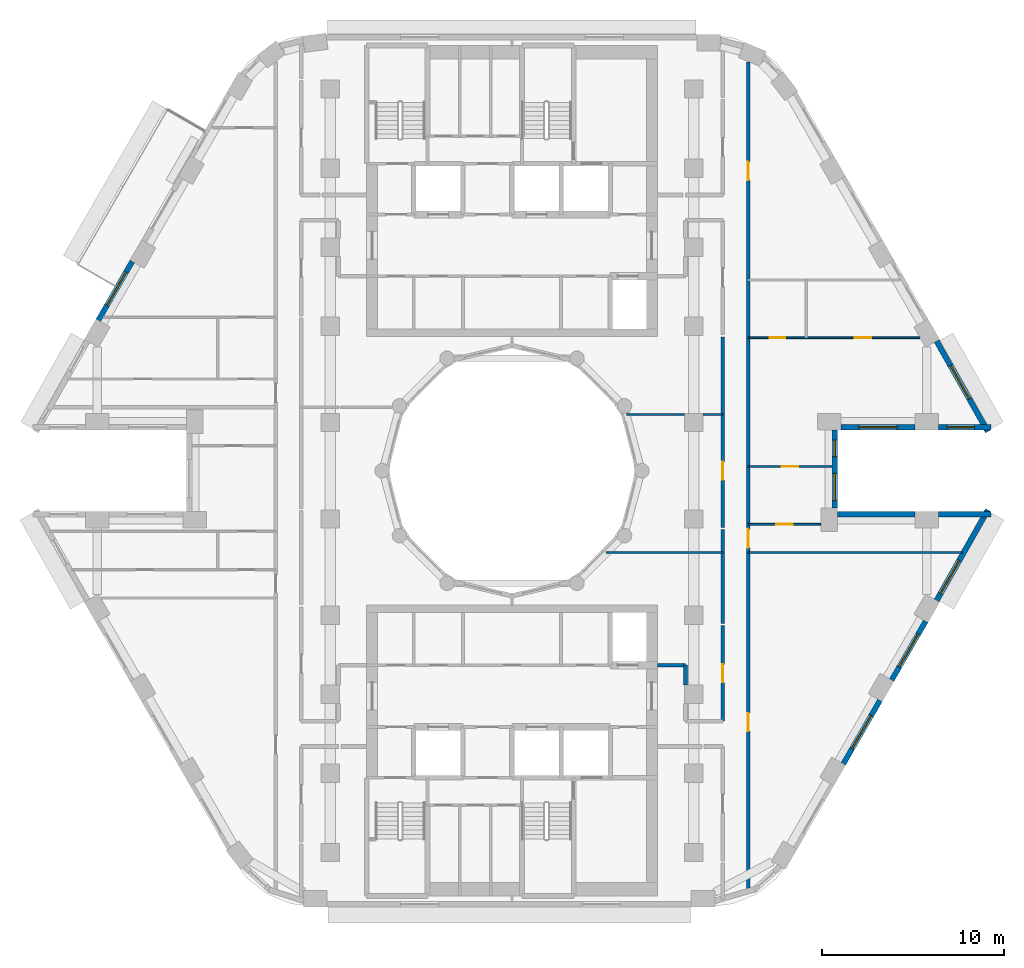
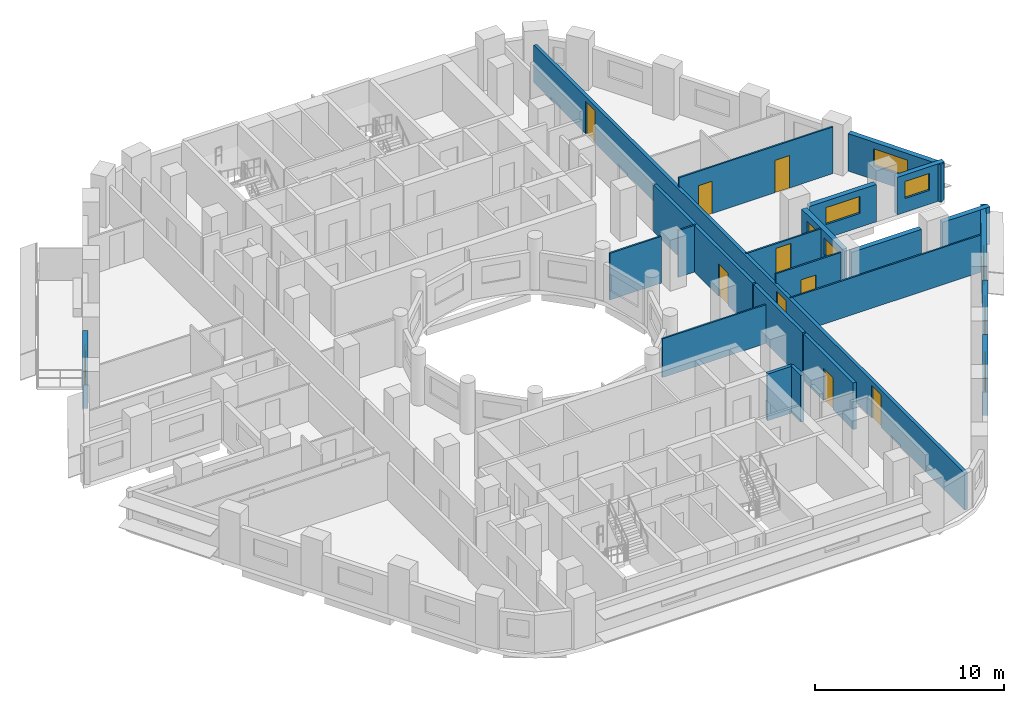
# One storey, part 6 of 13: 23 walls, 9 doors, 9 windows, 18 openings.
"""IFC4 building model written with IfcOpenShell, lengths in metres."""

import ifcopenshell
import ifcopenshell.guid

model = None  # the IFC model being written
_history = None  # IfcOwnerHistory: only IFC2X3 demands one
_inside = {}  # id of a spatial element -> (the spatial element, [elements in it])
_under = {}  # id of a project, library or spatial element -> (it, [spatial elements below it])
_declared = {}  # id of a project -> (the project, [libraries it declares])
_typed = {}  # id of a type object -> (the type object, [elements of that type])
_made_of = {}  # id of a material, layer set ... -> (it, [elements and type objects made of it])


def new_model(schema):
    """Start an empty IFC model of exactly this schema.

    Asked for "IFC4X3", IfcOpenShell would pick the latest addendum, in which some entities
    have other attributes; the version numbers below select the first issue.
    IFC2X3 requires an IfcOwnerHistory on every rooted entity: one is made here for all.
    """
    global model, _history
    if schema == "IFC4X3":
        model = ifcopenshell.file(schema_version=(4, 3, 0, 0))
    else:
        model = ifcopenshell.file(schema=schema)
    _inside.clear()
    _under.clear()
    _declared.clear()
    _typed.clear()
    _made_of.clear()
    _history = None
    if model.schema == "IFC2X3":
        org = make("IfcOrganization", Name="unknown")
        user = make(
            "IfcPersonAndOrganization",
            ThePerson=make("IfcPerson", FamilyName="unknown"),
            TheOrganization=org,
        )
        app = make(
            "IfcApplication",
            ApplicationDeveloper=org,
            Version="unknown",
            ApplicationFullName="unknown",
            ApplicationIdentifier="unknown",
        )
        _history = make(
            "IfcOwnerHistory",
            OwningUser=user,
            OwningApplication=app,
            ChangeAction="ADDED",
            CreationDate=0,
        )
    return model


def make(cls, **values):
    """One entity of the class cls with the attributes given. An attribute that is None is left unset."""
    return model.create_entity(
        cls, **{name: value for name, value in values.items() if value is not None}
    )


def rooted(cls, **values):
    """An entity with a GlobalId (a new one), such as an element, a storey or a relation."""
    return make(cls, GlobalId=ifcopenshell.guid.new(), OwnerHistory=_history, **values)


def si_unit(unit_type, name, prefix=None):
    """IfcSIUnit, for example si_unit("LENGTHUNIT", "METRE", prefix="MILLI")."""
    return make("IfcSIUnit", UnitType=unit_type, Prefix=prefix, Name=name)


def assignment(units):
    """IfcUnitAssignment: the units of a project."""
    return None if units is None else make("IfcUnitAssignment", Units=units)


def point(xyz):
    """IfcCartesianPoint."""
    return None if xyz is None else make("IfcCartesianPoint", Coordinates=xyz)


def direction(xyz):
    """IfcDirection."""
    return None if xyz is None else make("IfcDirection", DirectionRatios=xyz)


def frame(location, z_axis=None, x_axis=None):
    """IfcAxis2Placement3D, a coordinate frame: its origin and axes. An axis left out is left unset."""
    return make(
        "IfcAxis2Placement3D",
        Location=point(location),
        Axis=direction(z_axis),
        RefDirection=direction(x_axis),
    )


def frame_2d(location, x_axis=None):
    """IfcAxis2Placement2D, a coordinate frame in the plane: its origin and x axis."""
    return make(
        "IfcAxis2Placement2D", Location=point(location), RefDirection=direction(x_axis)
    )


def origin():
    """The frame at (0, 0, 0) with its axes left unset."""
    return frame((0.0, 0.0, 0.0))


def place(relative_to, where):
    """IfcLocalPlacement: puts the frame where relative to a parent placement (None: the world)."""
    return make(
        "IfcLocalPlacement", PlacementRelTo=relative_to, RelativePlacement=where
    )


def context(
    kind, dimensions, precision=None, world=None, true_north=None, identifier=None
):
    """IfcGeometricRepresentationContext, for example the 3D "Model" context."""
    return make(
        "IfcGeometricRepresentationContext",
        ContextIdentifier=identifier,
        ContextType=kind,
        CoordinateSpaceDimension=dimensions,
        Precision=precision,
        WorldCoordinateSystem=world,
        TrueNorth=true_north,
    )


def subcontext(parent, identifier, kind, view, scale=None):
    """IfcGeometricRepresentationSubContext, for example "Body" below "Model"."""
    return make(
        "IfcGeometricRepresentationSubContext",
        ContextIdentifier=identifier,
        ContextType=kind,
        ParentContext=parent,
        TargetScale=scale,
        TargetView=view,
    )


def project(units=None, contexts=None):
    """IfcProject with its units and contexts."""
    return rooted(
        "IfcProject",
        Name="project",
        RepresentationContexts=contexts,
        UnitsInContext=assignment(units),
    )


def spatial(cls, under=None, at=None, **own):
    """A site, building, storey or space (cls), placed at a placement, below another one or the project."""
    s = rooted(cls, ObjectPlacement=at, **own)
    if under is not None:
        _under.setdefault(under.id(), (under, []))[1].append(s)
    return s


def profile(cls, at=None, kind="AREA", **sizes):
    """A parametric profile (cls). Its sizes go by their IFC names, for example OverallWidth=200.0."""
    return make(cls, ProfileType=kind, Position=at, **sizes)


def rectangle(**sizes):
    """IfcRectangleProfileDef."""
    return profile("IfcRectangleProfileDef", **sizes)


def extrude(swept, where, along, depth):
    """IfcExtrudedAreaSolid: the profile swept, set in the frame where, extruded along a direction by depth."""
    return make(
        "IfcExtrudedAreaSolid",
        SweptArea=swept,
        Position=where,
        ExtrudedDirection=direction(along),
        Depth=depth,
    )


def shape(context_of_items, identifier, shape_type, items):
    """IfcShapeRepresentation: the items that make up one representation, for example the "Body"."""
    return make(
        "IfcShapeRepresentation",
        ContextOfItems=context_of_items,
        RepresentationIdentifier=identifier,
        RepresentationType=shape_type,
        Items=items,
    )


def material(Name=None, Category=None):
    """IfcMaterial."""
    return make("IfcMaterial", Name=Name, Category=Category)


def layer(
    of_material, thickness, ventilated=None, Name=None, Category=None, Priority=None
):
    """IfcMaterialLayer: one layer of a wall or slab, of a material (None: an air gap)."""
    return make(
        "IfcMaterialLayer",
        Material=of_material,
        LayerThickness=thickness,
        IsVentilated=ventilated,
        Name=Name,
        Category=Category,
        Priority=Priority,
    )


def layer_set(layers, Name=None):
    """IfcMaterialLayerSet."""
    return make("IfcMaterialLayerSet", MaterialLayers=layers, LayerSetName=Name)


def made_of(thing, what):
    """Note that an element or type object is made of a material, layer set ...; save() writes the relation."""
    if what is not None:
        _made_of.setdefault(what.id(), (what, []))[1].append(thing)
    return thing


def type_object(cls, material=None, **own):
    """A type object (cls), such as IfcWallType, which elements share."""
    return made_of(rooted(cls, **own), material)


def element(
    cls,
    number,
    at=None,
    inside=None,
    cuts=None,
    type_object=None,
    material=None,
    context=None,
    identifier="Body",
    shape_type=None,
    held_by="IfcProductDefinitionShape",
    body=None,
    shapes=None,
    **own,
):
    """One element of the class cls, such as IfcWall. Its Tag is "e" and its number.

    at: its placement. inside: the storey or other place that contains it. cuts: it is an
    opening in that element (IfcRelVoidsElement). A single representation is given by context,
    identifier, shape_type and body (its items); several are given by shapes. held_by: the class
    of the entity that holds the representations. save() writes the other relations.
    """
    e = rooted(cls, Tag="e%d" % number, ObjectPlacement=at, **own)
    if body is not None:
        shapes = [shape(context, identifier, shape_type, body)]
    if shapes is not None:
        e.Representation = make(held_by, Representations=shapes)
    if inside is not None:
        _inside.setdefault(inside.id(), (inside, []))[1].append(e)
    if cuts is not None:
        rooted(
            "IfcRelVoidsElement", RelatingBuildingElement=cuts, RelatedOpeningElement=e
        )
    if type_object is not None:
        _typed.setdefault(type_object.id(), (type_object, []))[1].append(e)
    return made_of(e, material)


def fill(opening, filler):
    """IfcRelFillsElement: the door or window that sits in an opening."""
    return rooted(
        "IfcRelFillsElement",
        RelatingOpeningElement=opening,
        RelatedBuildingElement=filler,
    )


def aggregate(whole, parts):
    """IfcRelAggregates: a whole, such as a stair, and the parts it consists of."""
    return rooted("IfcRelAggregates", RelatingObject=whole, RelatedObjects=parts)


def save(model, path):
    """Write the relations noted so far, then the file.

    IfcRelAggregates (storeys below a building ...), IfcRelContainedInSpatialStructure (elements
    in a storey), IfcRelDefinesByType, IfcRelAssociatesMaterial and IfcRelDeclares: one each for
    every whole, place, type object, material and project.
    """
    for whole, parts in _under.values():
        aggregate(whole, parts)
    for where, things in _inside.values():
        rooted(
            "IfcRelContainedInSpatialStructure",
            RelatedElements=things,
            RelatingStructure=where,
        )
    for kind, things in _typed.values():
        rooted("IfcRelDefinesByType", RelatedObjects=things, RelatingType=kind)
    for what, things in _made_of.values():
        rooted("IfcRelAssociatesMaterial", RelatedObjects=things, RelatingMaterial=what)
    for by, libraries in _declared.values():
        rooted("IfcRelDeclares", RelatingContext=by, RelatedDefinitions=libraries)
    model.write(path)


model = new_model("IFC4")

# Units and contexts
model_context = context("Model", 3, precision=1e-05, world=origin(), true_north=direction((0.0, 1.0)))
body_context = subcontext(model_context, "Body", "Model", "MODEL_VIEW")
ifc_project = project(units=[si_unit("LENGTHUNIT", "METRE"), si_unit("AREAUNIT", "SQUARE_METRE"), si_unit("VOLUMEUNIT", "CUBIC_METRE"), si_unit("PLANEANGLEUNIT", "RADIAN"), si_unit("MASSUNIT", "GRAM", prefix="KILO")], contexts=[model_context])

# Site, building, storey
site_placement = place(None, origin())
site = spatial("IfcSite", under=ifc_project, at=site_placement, CompositionType="ELEMENT")
building_placement = place(site_placement, origin())
building = spatial("IfcBuilding", under=site, at=building_placement, Name="Nakaniwa Court", CompositionType="ELEMENT")
storey_placement = place(building_placement, frame((0.0, 0.0, 147.0)))
storey = spatial("IfcBuildingStorey", under=building, at=storey_placement, Name="L38", CompositionType="ELEMENT", Elevation=147.0)

# Wall, opening, door
ifc_material_1 = material(Name="Acoustic double stud partition")
ifc_layer_1 = layer(ifc_material_1, 0.199951171875)
ifc_layer_set_1 = layer_set([ifc_layer_1], Name="Acoustic double stud partition")
wall_type_1 = type_object("IfcWallType", Name="Acoustic double stud partition 200", PredefinedType="PARTITIONING", material=ifc_layer_set_1)
wall_1_placement = place(storey_placement, frame((91.60009765625, 66.22509765625, 0.0), z_axis=(0.0, 0.0, 1.0), x_axis=(0.0, 1.0, 0.0)))
wall_1 = element("IfcWall", 1, at=wall_1_placement, inside=storey, type_object=wall_type_1, Name="Partition PW-073", PredefinedType="PARTITIONING", context=body_context, shape_type="SweptSolid", body=[
    extrude(rectangle(XDim=5.247802734375, YDim=0.199951171875, at=frame_2d((2.6240234375, 0.0))), origin(), (0.0, 0.0, 1.0), 3.02490234375),
])
opening_1_placement = place(wall_1_placement, frame((2.123046875, 0.0, 0.0)))
opening_1 = element("IfcOpeningElement", 2, at=opening_1_placement, cuts=wall_1, Name="Opening D-02-03", PredefinedType="OPENING", context=body_context, shape_type="SweptSolid", body=[
    extrude(rectangle(XDim=1.0, YDim=2.10009765625, at=frame_2d((0.5, 1.050048828125))), frame((0.0, 0.10986328125, 0.0), z_axis=(0.0, -1.0, 0.0), x_axis=(1.0, 0.0, 0.0)), (0.0, 0.0, 1.0), 0.219970703125),
])
ifc_material_2 = material(Name="Solid core timber door set, black veneer", Category="wood")
door_type_1 = type_object("IfcDoorType", Name="Internal door 1000", OperationType="NOTDEFINED", PredefinedType="DOOR", material=ifc_material_2)
door_1_placement = place(opening_1_placement, origin())
door_1 = element("IfcDoor", 3, at=door_1_placement, inside=storey, type_object=door_type_1, Name="Door D-02-03 L38-029", OperationType="SINGLE_SWING_RIGHT", OverallHeight=2.10009765625, OverallWidth=1.0, PredefinedType="DOOR", context=body_context, shape_type="SweptSolid", body=[
    extrude(rectangle(XDim=1.0, YDim=2.10009765625, at=frame_2d((0.5, 1.050048828125))), frame((0.0, 0.02490234375, 0.0), z_axis=(0.0, -1.0, 0.0), x_axis=(1.0, 0.0, 0.0)), (0.0, 0.0, 1.0), 0.050048828125),
])
fill(opening_1, door_1)

# Wall
wall_2_placement = place(storey_placement, frame((91.60009765625, 71.587158203125, 0.0), z_axis=(0.0, 0.0, 1.0), x_axis=(0.0, 1.0, 0.0)))
element("IfcWall", 4, at=wall_2_placement, inside=storey, type_object=wall_type_1, Name="Partition PW-074", PredefinedType="PARTITIONING", context=body_context, shape_type="SweptSolid", body=[
    extrude(rectangle(XDim=5.185546875, YDim=0.199951171875, at=frame_2d((2.5927734375, 0.0))), origin(), (0.0, 0.0, 1.0), 3.02490234375),
])

# Wall, opening, door
wall_3_placement = place(storey_placement, frame((91.60009765625, 76.88720703125, 0.0), z_axis=(0.0, 0.0, 1.0), x_axis=(0.0, 1.0, 0.0)))
wall_3 = element("IfcWall", 5, at=wall_3_placement, inside=storey, type_object=wall_type_1, Name="Partition PW-075", PredefinedType="PARTITIONING", context=body_context, shape_type="SweptSolid", body=[
    extrude(rectangle(XDim=10.485595703125, YDim=0.199951171875, at=frame_2d((5.24267578125, 0.0))), origin(), (0.0, 0.0, 1.0), 3.02490234375),
])
opening_2_placement = place(wall_3_placement, frame((2.60791015625, 0.0, 0.0)))
opening_2 = element("IfcOpeningElement", 6, at=opening_2_placement, cuts=wall_3, Name="Opening D-02-09", PredefinedType="OPENING", context=body_context, shape_type="SweptSolid", body=[
    extrude(rectangle(XDim=1.0, YDim=2.10009765625, at=frame_2d((0.5, 1.050048828125))), frame((0.0, 0.10986328125, 0.0), z_axis=(0.0, -1.0, 0.0), x_axis=(1.0, 0.0, 0.0)), (0.0, 0.0, 1.0), 0.219970703125),
])
door_2_placement = place(opening_2_placement, origin())
door_2 = element("IfcDoor", 7, at=door_2_placement, inside=storey, type_object=door_type_1, Name="Door D-02-09 L38-050", OperationType="SINGLE_SWING_LEFT", OverallHeight=2.10009765625, OverallWidth=1.0, PredefinedType="DOOR", context=body_context, shape_type="SweptSolid", body=[
    extrude(rectangle(XDim=1.0, YDim=2.10009765625, at=frame_2d((0.5, 1.050048828125))), frame((0.0, 0.02490234375, 0.0), z_axis=(0.0, -1.0, 0.0), x_axis=(1.0, 0.0, 0.0)), (0.0, 0.0, 1.0), 0.050048828125),
])
fill(opening_2, door_2)

# Wall, openings, doors
wall_4_placement = place(storey_placement, frame((93.0, 102.498046875, 0.0), z_axis=(0.0, 0.0, 1.0), x_axis=(0.0, -1.0, 0.0)))
wall_4 = element("IfcWall", 8, at=wall_4_placement, inside=storey, type_object=wall_type_1, Name="Partition PW-083", PredefinedType="PARTITIONING", context=body_context, shape_type="SweptSolid", body=[
    extrude(rectangle(XDim=45.664794921875, YDim=0.199951171875, at=frame_2d((22.83251953125, 0.0))), origin(), (0.0, 0.0, 1.0), 2.405029296875),
])
opening_3_placement = place(wall_4_placement, frame((35.8310546875, 0.0, 0.0)))
opening_3 = element("IfcOpeningElement", 9, at=opening_3_placement, cuts=wall_4, Name="Opening D-02-02", PredefinedType="OPENING", context=body_context, shape_type="SweptSolid", body=[
    extrude(rectangle(XDim=1.0, YDim=2.10009765625, at=frame_2d((0.5, 1.050048828125))), frame((0.0, 0.10986328125, 0.0), z_axis=(0.0, -1.0, 0.0), x_axis=(1.0, 0.0, 0.0)), (0.0, 0.0, 1.0), 0.219970703125),
])
opening_4_placement = place(wall_4_placement, frame((25.722900390625, 0.0, 0.0)))
opening_4 = element("IfcOpeningElement", 10, at=opening_4_placement, cuts=wall_4, Name="Opening D-01-01", PredefinedType="OPENING", context=body_context, shape_type="SweptSolid", body=[
    extrude(rectangle(XDim=1.0, YDim=2.10009765625, at=frame_2d((0.5, 1.050048828125))), frame((0.0, 0.10986328125, 0.0), z_axis=(0.0, -1.0, 0.0), x_axis=(1.0, 0.0, 0.0)), (0.0, 0.0, 1.0), 0.219970703125),
])
opening_5_placement = place(wall_4_placement, frame((5.5009765625, 0.0, 0.0)))
opening_5 = element("IfcOpeningElement", 11, at=opening_5_placement, cuts=wall_4, Name="Opening D-02-04", PredefinedType="OPENING", context=body_context, shape_type="SweptSolid", body=[
    extrude(rectangle(XDim=1.0, YDim=2.10009765625, at=frame_2d((0.5, 1.050048828125))), frame((0.0, 0.10986328125, 0.0), z_axis=(0.0, -1.0, 0.0), x_axis=(1.0, 0.0, 0.0)), (0.0, 0.0, 1.0), 0.219970703125),
])
door_type_2 = type_object("IfcDoorType", Name="Flat entrance door 1000", OperationType="NOTDEFINED", PredefinedType="DOOR", material=ifc_material_2)
door_3_placement = place(opening_4_placement, origin())
door_3 = element("IfcDoor", 12, at=door_3_placement, inside=storey, type_object=door_type_2, Name="Door D-01-01 L38-030", OperationType="SINGLE_SWING_LEFT", OverallHeight=2.10009765625, OverallWidth=1.0, PredefinedType="DOOR", context=body_context, shape_type="SweptSolid", body=[
    extrude(rectangle(XDim=1.0, YDim=2.10009765625, at=frame_2d((0.5, 1.050048828125))), frame((0.0, 0.02490234375, 0.0), z_axis=(0.0, -1.0, 0.0), x_axis=(1.0, 0.0, 0.0)), (0.0, 0.0, 1.0), 0.050048828125),
])
fill(opening_4, door_3)
door_4_placement = place(opening_3_placement, origin())
door_4 = element("IfcDoor", 13, at=door_4_placement, inside=storey, type_object=door_type_1, Name="Door D-02-02 L38-028", OperationType="SINGLE_SWING_LEFT", OverallHeight=2.10009765625, OverallWidth=1.0, PredefinedType="DOOR", context=body_context, shape_type="SweptSolid", body=[
    extrude(rectangle(XDim=1.0, YDim=2.10009765625, at=frame_2d((0.5, 1.050048828125))), frame((0.0, 0.02490234375, 0.0), z_axis=(0.0, -1.0, 0.0), x_axis=(1.0, 0.0, 0.0)), (0.0, 0.0, 1.0), 0.050048828125),
])
fill(opening_3, door_4)
door_5_placement = place(opening_5_placement, origin())
door_5 = element("IfcDoor", 14, at=door_5_placement, inside=storey, type_object=door_type_1, Name="Door D-02-04 L38-035", OperationType="SINGLE_SWING_RIGHT", OverallHeight=2.10009765625, OverallWidth=1.0, PredefinedType="DOOR", context=body_context, shape_type="SweptSolid", body=[
    extrude(rectangle(XDim=1.0, YDim=2.10009765625, at=frame_2d((0.5, 1.050048828125))), frame((0.0, 0.02490234375, 0.0), z_axis=(0.0, -1.0, 0.0), x_axis=(1.0, 0.0, 0.0)), (0.0, 0.0, 1.0), 0.050048828125),
])
fill(opening_5, door_5)

# Walls
wall_5_placement = place(storey_placement, frame((88.0, 69.300048828125, 0.0), z_axis=(0.0, 0.0, 1.0), x_axis=(1.0, 0.0, 0.0)))
element("IfcWall", 15, at=wall_5_placement, inside=storey, type_object=wall_type_1, Name="Partition PW-085", PredefinedType="PARTITIONING", context=body_context, shape_type="SweptSolid", body=[
    extrude(rectangle(XDim=1.550048828125, YDim=0.199951171875, at=frame_2d((0.77490234375, 0.0))), origin(), (0.0, 0.0, 1.0), 3.02490234375),
])
wall_6_placement = place(storey_placement, frame((89.550048828125, 68.21728515625, 0.0), z_axis=(0.0, 0.0, 1.0), x_axis=(0.0, 1.0, 0.0)))
element("IfcWall", 16, at=wall_6_placement, inside=storey, type_object=wall_type_1, Name="Partition PW-087", PredefinedType="PARTITIONING", context=body_context, shape_type="SweptSolid", body=[
    extrude(rectangle(XDim=1.082763671875, YDim=0.199951171875, at=frame_2d((0.54150390625, 0.0))), origin(), (0.0, 0.0, 1.0), 3.02490234375),
])

# Wall, opening, window
ifc_material_3 = material(Name="Charcoal ceramic cladding")
ifc_layer_2 = layer(ifc_material_3, 0.02, Name="Ceramic cladding")
ifc_material_4 = material(Name="Ventilated air cavity")
ifc_layer_3 = layer(ifc_material_4, 0.04, ventilated=True, Name="Ventilated cavity")
ifc_material_5 = material(Name="Mineral wool insulation")
ifc_layer_4 = layer(ifc_material_5, 0.1, Name="Insulation")
ifc_material_6 = material(Name="Cement bonded sheathing board")
ifc_layer_5 = layer(ifc_material_6, 0.012, Name="Sheathing")
ifc_material_7 = material(Name="Cold-formed galvanised stud frame with mineral wool infill")
ifc_layer_6 = layer(ifc_material_7, 0.1, Name="Stud frame")
ifc_material_8 = material(Name="Fire-rated gypsum plasterboard lining")
ifc_layer_7 = layer(ifc_material_8, 0.028, Name="Lining")
ifc_layer_set_2 = layer_set([ifc_layer_2, ifc_layer_3, ifc_layer_4, ifc_layer_5, ifc_layer_6, ifc_layer_7], Name="Charcoal ceramic faced external wall system")
wall_type_2 = type_object("IfcWallType", Name="Black ceramic faced external wall 300", PredefinedType="SOLIDWALL", material=ifc_layer_set_2)
wall_7_placement = place(storey_placement, frame((98.1044921875, 82.39990234375, 0.0), z_axis=(0.0, 0.0, 1.0), x_axis=(1.0, 0.0, 0.0)))
wall_7 = element("IfcWall", 17, at=wall_7_placement, inside=storey, type_object=wall_type_2, Name="L38 external wall 00", PredefinedType="SOLIDWALL", context=body_context, shape_type="SweptSolid", body=[
    extrude(rectangle(XDim=4.072509765625, YDim=0.300048828125, at=frame_2d((2.0361328125, 0.0))), origin(), (0.0, 0.0, 1.0), 2.425048828125),
])
opening_6_placement = place(wall_7_placement, frame((0.986083984375, 0.0, 0.89990234375)))
opening_6 = element("IfcOpeningElement", 18, at=opening_6_placement, cuts=wall_7, Name="Opening W7.01", PredefinedType="OPENING", context=body_context, shape_type="SweptSolid", body=[
    extrude(rectangle(XDim=2.10009765625, YDim=1.10009765625, at=frame_2d((1.050048828125, 0.550048828125))), frame((0.0, 0.159912109375, 0.0), z_axis=(0.0, -1.0, 0.0), x_axis=(1.0, 0.0, 0.0)), (0.0, 0.0, 1.0), 0.320068359375),
])
ifc_material_9 = material(Name="Black anodised aluminium frame with dark low-E laminated double glazing", Category="aluminium")
window_type_1 = type_object("IfcWindowType", Name="Dark glass window 2100x1100 sill 900", PartitioningType="SINGLE_PANEL", PredefinedType="WINDOW", material=ifc_material_9)
window_1_placement = place(opening_6_placement, origin())
window_1 = element("IfcWindow", 19, at=window_1_placement, inside=storey, type_object=window_type_1, Name="L38 living window 00-0", OverallHeight=1.10009765625, OverallWidth=2.10009765625, PartitioningType="SINGLE_PANEL", PredefinedType="WINDOW", context=body_context, shape_type="SweptSolid", body=[
    extrude(rectangle(XDim=2.10009765625, YDim=1.10009765625, at=frame_2d((1.050048828125, 0.550048828125))), frame((0.0, 0.030029296875, 0.0), z_axis=(0.0, -1.0, 0.0), x_axis=(1.0, 0.0, 0.0)), (0.0, 0.0, 1.0), 0.06005859375),
])
fill(opening_6, window_1)

wall_8_placement = place(storey_placement, frame((103.468994140625, 82.39990234375, 0.0), z_axis=(0.0, 0.0, 1.0), x_axis=(1.0, 0.0, 0.0)))
wall_8 = element("IfcWall", 20, at=wall_8_placement, inside=storey, type_object=wall_type_2, Name="L38 external wall 01", PredefinedType="SOLIDWALL", context=body_context, shape_type="SweptSolid", body=[
    extrude(rectangle(XDim=2.8876953125, YDim=0.300048828125, at=frame_2d((1.44384765625, 0.0))), origin(), (0.0, 0.0, 1.0), 2.425048828125),
])
opening_7_placement = place(wall_8_placement, frame((0.468994140625, 0.0, 0.89990234375)))
opening_7 = element("IfcOpeningElement", 21, at=opening_7_placement, cuts=wall_8, Name="Opening W5.02", PredefinedType="OPENING", context=body_context, shape_type="SweptSolid", body=[
    extrude(rectangle(XDim=1.5, YDim=1.10009765625, at=frame_2d((0.75, 0.550048828125))), frame((0.0, 0.159912109375, 0.0), z_axis=(0.0, -1.0, 0.0), x_axis=(1.0, 0.0, 0.0)), (0.0, 0.0, 1.0), 0.320068359375),
])
window_type_2 = type_object("IfcWindowType", Name="Dark glass window 1500x1100 sill 900", PartitioningType="SINGLE_PANEL", PredefinedType="WINDOW", material=ifc_material_9)
window_2_placement = place(opening_7_placement, origin())
window_2 = element("IfcWindow", 22, at=window_2_placement, inside=storey, type_object=window_type_2, Name="L38 living window 01-0", OverallHeight=1.10009765625, OverallWidth=1.5, PartitioningType="SINGLE_PANEL", PredefinedType="WINDOW", context=body_context, shape_type="SweptSolid", body=[
    extrude(rectangle(XDim=1.5, YDim=1.10009765625, at=frame_2d((0.75, 0.550048828125))), frame((0.0, 0.030029296875, 0.0), z_axis=(0.0, -1.0, 0.0), x_axis=(1.0, 0.0, 0.0)), (0.0, 0.0, 1.0), 0.06005859375),
])
fill(opening_7, window_2)

wall_9_placement = place(storey_placement, frame((106.18603515625, 82.1533203125, 0.0), z_axis=(0.0, 0.0, 1.0), x_axis=(-0.492498306264, 0.87031340236, 0.0)))
wall_9 = element("IfcWall", 23, at=wall_9_placement, inside=storey, type_object=wall_type_2, Name="L38 external wall 02", PredefinedType="SOLIDWALL", context=body_context, shape_type="SweptSolid", body=[
    extrude(rectangle(XDim=5.7265625, YDim=0.300048828125, at=frame_2d((2.86328125, 0.0))), origin(), (0.0, 0.0, 1.0), 2.425048828125),
])
opening_8_placement = place(wall_9_placement, frame((2.076416015625, 0.0, 0.89990234375)))
opening_8 = element("IfcOpeningElement", 24, at=opening_8_placement, cuts=wall_9, Name="Opening W7.03", PredefinedType="OPENING", context=body_context, shape_type="SweptSolid", body=[
    extrude(rectangle(XDim=2.10009765625, YDim=1.10009765625, at=frame_2d((1.050048828125, 0.550048828125))), frame((0.0, 0.159912109375, 0.0), z_axis=(0.0, -1.0, 0.0), x_axis=(1.0, 0.0, 0.0)), (0.0, 0.0, 1.0), 0.320068359375),
])
window_3_placement = place(opening_8_placement, origin())
window_3 = element("IfcWindow", 25, at=window_3_placement, inside=storey, type_object=window_type_1, Name="L38 living window 02-0", OverallHeight=1.10009765625, OverallWidth=2.10009765625, PartitioningType="SINGLE_PANEL", PredefinedType="WINDOW", context=body_context, shape_type="SweptSolid", body=[
    extrude(rectangle(XDim=2.10009765625, YDim=1.10009765625, at=frame_2d((1.050048828125, 0.550048828125))), frame((0.0, 0.030029296875, 0.0), z_axis=(0.0, -1.0, 0.0), x_axis=(1.0, 0.0, 0.0)), (0.0, 0.0, 1.0), 0.06005859375),
])
fill(opening_8, window_3)

wall_10_placement = place(storey_placement, frame((59.108642578125, 91.515380859375, 0.0), z_axis=(0.0, 0.0, 1.0), x_axis=(-0.499933594891, -0.866063739398, 0.0)))
wall_10 = element("IfcWall", 26, at=wall_10_placement, inside=storey, type_object=wall_type_2, Name="L38 external wall 13", PredefinedType="SOLIDWALL", context=body_context, shape_type="SweptSolid", body=[
    extrude(rectangle(XDim=3.73681640625, YDim=0.300048828125, at=frame_2d((1.868408203125, 0.0))), origin(), (0.0, 0.0, 1.0), 2.425048828125),
])
opening_9_placement = place(wall_10_placement, frame((0.6826171875, 0.0, 0.89990234375)))
opening_9 = element("IfcOpeningElement", 27, at=opening_9_placement, cuts=wall_10, Name="Opening W7.14", PredefinedType="OPENING", context=body_context, shape_type="SweptSolid", body=[
    extrude(rectangle(XDim=2.10009765625, YDim=1.10009765625, at=frame_2d((1.050048828125, 0.550048828125))), frame((0.0, 0.159912109375, 0.0), z_axis=(0.0, -1.0, 0.0), x_axis=(1.0, 0.0, 0.0)), (0.0, 0.0, 1.0), 0.320068359375),
])
window_4_placement = place(opening_9_placement, origin())
window_4 = element("IfcWindow", 28, at=window_4_placement, inside=storey, type_object=window_type_1, Name="L38 living window 13-0", OverallHeight=1.10009765625, OverallWidth=2.10009765625, PartitioningType="SINGLE_PANEL", PredefinedType="WINDOW", context=body_context, shape_type="SweptSolid", body=[
    extrude(rectangle(XDim=2.10009765625, YDim=1.10009765625, at=frame_2d((1.050048828125, 0.550048828125))), frame((0.0, 0.030029296875, 0.0), z_axis=(0.0, -1.0, 0.0), x_axis=(1.0, 0.0, 0.0)), (0.0, 0.0, 1.0), 0.06005859375),
])
fill(opening_9, window_4)

wall_11_placement = place(storey_placement, frame((98.228271484375, 63.872314453125, 0.0), z_axis=(0.0, 0.0, 1.0), x_axis=(0.500031546601, 0.86600718958, 0.0)))
wall_11 = element("IfcWall", 29, at=wall_11_placement, inside=storey, type_object=wall_type_2, Name="L38 external wall 30", PredefinedType="SOLIDWALL", context=body_context, shape_type="SweptSolid", body=[
    extrude(rectangle(XDim=4.033935546875, YDim=0.300048828125, at=frame_2d((2.01708984375, 0.0))), origin(), (0.0, 0.0, 1.0), 2.425048828125),
])
opening_10_placement = place(wall_11_placement, frame((0.967041015625, 0.0, 0.89990234375)))
opening_10 = element("IfcOpeningElement", 30, at=opening_10_placement, cuts=wall_11, Name="Opening W7.31", PredefinedType="OPENING", context=body_context, shape_type="SweptSolid", body=[
    extrude(rectangle(XDim=2.10009765625, YDim=1.10009765625, at=frame_2d((1.050048828125, 0.550048828125))), frame((0.0, 0.159912109375, 0.0), z_axis=(0.0, -1.0, 0.0), x_axis=(1.0, 0.0, 0.0)), (0.0, 0.0, 1.0), 0.320068359375),
])
window_5_placement = place(opening_10_placement, origin())
window_5 = element("IfcWindow", 31, at=window_5_placement, inside=storey, type_object=window_type_1, Name="L38 habitable room window 30-0", OverallHeight=1.10009765625, OverallWidth=2.10009765625, PartitioningType="SINGLE_PANEL", PredefinedType="WINDOW", context=body_context, shape_type="SweptSolid", body=[
    extrude(rectangle(XDim=2.10009765625, YDim=1.10009765625, at=frame_2d((1.050048828125, 0.550048828125))), frame((0.0, 0.030029296875, 0.0), z_axis=(0.0, -1.0, 0.0), x_axis=(1.0, 0.0, 0.0)), (0.0, 0.0, 1.0), 0.06005859375),
])
fill(opening_10, window_5)

wall_12_placement = place(storey_placement, frame((100.891357421875, 68.484619140625, 0.0), z_axis=(0.0, 0.0, 1.0), x_axis=(0.499933594891, 0.866063739398, 0.0)))
wall_12 = element("IfcWall", 32, at=wall_12_placement, inside=storey, type_object=wall_type_2, Name="L38 external wall 31", PredefinedType="SOLIDWALL", context=body_context, shape_type="SweptSolid", body=[
    extrude(rectangle(XDim=3.73681640625, YDim=0.300048828125, at=frame_2d((1.868408203125, 0.0))), origin(), (0.0, 0.0, 1.0), 2.425048828125),
])
opening_11_placement = place(wall_12_placement, frame((0.818359375, 0.0, 0.89990234375)))
opening_11 = element("IfcOpeningElement", 33, at=opening_11_placement, cuts=wall_12, Name="Opening W7.32", PredefinedType="OPENING", context=body_context, shape_type="SweptSolid", body=[
    extrude(rectangle(XDim=2.10009765625, YDim=1.10009765625, at=frame_2d((1.050048828125, 0.550048828125))), frame((0.0, 0.159912109375, 0.0), z_axis=(0.0, -1.0, 0.0), x_axis=(1.0, 0.0, 0.0)), (0.0, 0.0, 1.0), 0.320068359375),
])
window_6_placement = place(opening_11_placement, origin())
window_6 = element("IfcWindow", 34, at=window_6_placement, inside=storey, type_object=window_type_1, Name="L38 habitable room window 31-0", OverallHeight=1.10009765625, OverallWidth=2.10009765625, PartitioningType="SINGLE_PANEL", PredefinedType="WINDOW", context=body_context, shape_type="SweptSolid", body=[
    extrude(rectangle(XDim=2.10009765625, YDim=1.10009765625, at=frame_2d((1.050048828125, 0.550048828125))), frame((0.0, 0.030029296875, 0.0), z_axis=(0.0, -1.0, 0.0), x_axis=(1.0, 0.0, 0.0)), (0.0, 0.0, 1.0), 0.06005859375),
])
fill(opening_11, window_6)

wall_13_placement = place(storey_placement, frame((103.36572265625, 72.86279296875, 0.0), z_axis=(0.0, 0.0, 1.0), x_axis=(0.492498306264, 0.87031340236, 0.0)))
wall_13 = element("IfcWall", 35, at=wall_13_placement, inside=storey, type_object=wall_type_2, Name="L38 external wall 32", PredefinedType="SOLIDWALL", context=body_context, shape_type="SweptSolid", body=[
    extrude(rectangle(XDim=5.7265625, YDim=0.300048828125, at=frame_2d((2.86328125, 0.0))), origin(), (0.0, 0.0, 1.0), 2.425048828125),
])
opening_12_placement = place(wall_13_placement, frame((0.4296875, 0.0, 0.89990234375)))
opening_12 = element("IfcOpeningElement", 36, at=opening_12_placement, cuts=wall_13, Name="Opening W7.33", PredefinedType="OPENING", context=body_context, shape_type="SweptSolid", body=[
    extrude(rectangle(XDim=2.10009765625, YDim=1.10009765625, at=frame_2d((1.050048828125, 0.550048828125))), frame((0.0, 0.159912109375, 0.0), z_axis=(0.0, -1.0, 0.0), x_axis=(1.0, 0.0, 0.0)), (0.0, 0.0, 1.0), 0.320068359375),
])
window_7_placement = place(opening_12_placement, origin())
window_7 = element("IfcWindow", 37, at=window_7_placement, inside=storey, type_object=window_type_1, Name="L38 habitable room window 32-0", OverallHeight=1.10009765625, OverallWidth=2.10009765625, PartitioningType="SINGLE_PANEL", PredefinedType="WINDOW", context=body_context, shape_type="SweptSolid", body=[
    extrude(rectangle(XDim=2.10009765625, YDim=1.10009765625, at=frame_2d((1.050048828125, 0.550048828125))), frame((0.0, 0.030029296875, 0.0), z_axis=(0.0, -1.0, 0.0), x_axis=(1.0, 0.0, 0.0)), (0.0, 0.0, 1.0), 0.06005859375),
])
fill(opening_12, window_7)

# Walls
wall_14_placement = place(storey_placement, frame((106.356689453125, 77.60009765625, 0.0), z_axis=(0.0, 0.0, 1.0), x_axis=(-1.0, 0.0, 0.0)))
element("IfcWall", 38, at=wall_14_placement, inside=storey, type_object=wall_type_2, Name="L38 external wall 33", PredefinedType="SOLIDWALL", context=body_context, shape_type="SweptSolid", body=[
    extrude(rectangle(XDim=2.8876953125, YDim=0.300048828125, at=frame_2d((1.44384765625, 0.0))), origin(), (0.0, 0.0, 1.0), 2.425048828125),
])
wall_15_placement = place(storey_placement, frame((102.177001953125, 77.60009765625, 0.0), z_axis=(0.0, 0.0, 1.0), x_axis=(-1.0, 0.0, 0.0)))
element("IfcWall", 39, at=wall_15_placement, inside=storey, type_object=wall_type_2, Name="L38 external wall 34", PredefinedType="SOLIDWALL", context=body_context, shape_type="SweptSolid", body=[
    extrude(rectangle(XDim=4.272705078125, YDim=0.300048828125, at=frame_2d((2.13623046875, 0.0))), origin(), (0.0, 0.0, 1.0), 2.425048828125),
])

# Wall, openings, windows
wall_16_placement = place(storey_placement, frame((97.75830078125, 77.946044921875, 0.0), z_axis=(0.0, 0.0, 1.0), x_axis=(0.0, 1.0, 0.0)))
wall_16 = element("IfcWall", 40, at=wall_16_placement, inside=storey, type_object=wall_type_2, Name="L38 external wall 35", PredefinedType="SOLIDWALL", context=body_context, shape_type="SweptSolid", body=[
    extrude(rectangle(XDim=4.307861328125, YDim=0.300048828125, at=frame_2d((2.15380859375, 0.0))), origin(), (0.0, 0.0, 1.0), 2.425048828125),
])
opening_13_placement = place(wall_16_placement, frame((0.40673828125, 0.0, 0.89990234375)))
opening_13 = element("IfcOpeningElement", 41, at=opening_13_placement, cuts=wall_16, Name="Opening W5.34", PredefinedType="OPENING", context=body_context, shape_type="SweptSolid", body=[
    extrude(rectangle(XDim=1.5, YDim=1.10009765625, at=frame_2d((0.75, 0.550048828125))), frame((0.0, 0.159912109375, 0.0), z_axis=(0.0, -1.0, 0.0), x_axis=(1.0, 0.0, 0.0)), (0.0, 0.0, 1.0), 0.320068359375),
])
opening_14_placement = place(wall_16_placement, frame((2.836669921875, 0.0, 0.89990234375)))
opening_14 = element("IfcOpeningElement", 42, at=opening_14_placement, cuts=wall_16, Name="Opening W9.35", PredefinedType="OPENING", context=body_context, shape_type="SweptSolid", body=[
    extrude(rectangle(XDim=0.89990234375, YDim=1.10009765625, at=frame_2d((0.449951171875, 0.550048828125))), frame((0.0, 0.159912109375, 0.0), z_axis=(0.0, -1.0, 0.0), x_axis=(1.0, 0.0, 0.0)), (0.0, 0.0, 1.0), 0.320068359375),
])
window_8_placement = place(opening_13_placement, origin())
window_8 = element("IfcWindow", 43, at=window_8_placement, inside=storey, type_object=window_type_2, Name="L38 habitable room window 35-0", OverallHeight=1.10009765625, OverallWidth=1.5, PartitioningType="SINGLE_PANEL", PredefinedType="WINDOW", context=body_context, shape_type="SweptSolid", body=[
    extrude(rectangle(XDim=1.5, YDim=1.10009765625, at=frame_2d((0.75, 0.550048828125))), frame((0.0, 0.030029296875, 0.0), z_axis=(0.0, -1.0, 0.0), x_axis=(1.0, 0.0, 0.0)), (0.0, 0.0, 1.0), 0.06005859375),
])
fill(opening_13, window_8)
window_type_3 = type_object("IfcWindowType", Name="Dark glass window 900x1100 sill 900", PartitioningType="SINGLE_PANEL", PredefinedType="WINDOW", material=ifc_material_9)
window_9_placement = place(opening_14_placement, origin())
window_9 = element("IfcWindow", 44, at=window_9_placement, inside=storey, type_object=window_type_3, Name="L38 living window 35-1", OverallHeight=1.10009765625, OverallWidth=0.89990234375, PartitioningType="SINGLE_PANEL", PredefinedType="WINDOW", context=body_context, shape_type="SweptSolid", body=[
    extrude(rectangle(XDim=0.89990234375, YDim=1.10009765625, at=frame_2d((0.449951171875, 0.550048828125))), frame((0.0, 0.030029296875, 0.0), z_axis=(0.0, -1.0, 0.0), x_axis=(1.0, 0.0, 0.0)), (0.0, 0.0, 1.0), 0.06005859375),
])
fill(opening_14, window_9)

# Walls
ifc_material_10 = material(Name="Single stud plasterboard partition")
ifc_layer_8 = layer(ifc_material_10, 0.10009765625)
ifc_layer_set_3 = layer_set([ifc_layer_8], Name="Single stud plasterboard partition")
wall_type_3 = type_object("IfcWallType", Name="Single stud plasterboard partition 100", PredefinedType="PARTITIONING", material=ifc_layer_set_3)
wall_17_placement = place(storey_placement, frame((85.17333984375, 75.5, 0.0), z_axis=(0.0, 0.0, 1.0), x_axis=(1.0, 0.0, 0.0)))
element("IfcWall", 45, at=wall_17_placement, inside=storey, type_object=wall_type_3, Name="Partition PW-117", PredefinedType="PARTITIONING", context=body_context, shape_type="SweptSolid", body=[
    extrude(rectangle(XDim=6.42578125, YDim=0.10009765625, at=frame_2d((3.212890625, 0.0))), origin(), (0.0, 0.0, 1.0), 2.5048828125),
])
wall_18_placement = place(storey_placement, frame((93.0009765625, 75.5, 0.0), z_axis=(0.0, 0.0, 1.0), x_axis=(1.0, 0.0, 0.0)))
element("IfcWall", 46, at=wall_18_placement, inside=storey, type_object=wall_type_3, Name="Partition PW-118", PredefinedType="PARTITIONING", context=body_context, shape_type="SweptSolid", body=[
    extrude(rectangle(XDim=11.767333984375, YDim=0.10009765625, at=frame_2d((5.8837890625, 0.0))), origin(), (0.0, 0.0, 1.0), 2.405029296875),
])

# Wall, opening, door
wall_19_placement = place(storey_placement, frame((93.0009765625, 77.050048828125, 0.0), z_axis=(0.0, 0.0, 1.0), x_axis=(1.0, 0.0, 0.0)))
wall_19 = element("IfcWall", 47, at=wall_19_placement, inside=storey, type_object=wall_type_3, Name="Partition PW-119", PredefinedType="PARTITIONING", context=body_context, shape_type="SweptSolid", body=[
    extrude(rectangle(XDim=3.9873046875, YDim=0.10009765625, at=frame_2d((1.99365234375, 0.0))), origin(), (0.0, 0.0, 1.0), 3.02490234375),
])
opening_15_placement = place(wall_19_placement, frame((1.5439453125, 0.0, 0.0)))
opening_15 = element("IfcOpeningElement", 48, at=opening_15_placement, cuts=wall_19, Name="Opening D-33-01", PredefinedType="OPENING", context=body_context, shape_type="SweptSolid", body=[
    extrude(rectangle(XDim=0.89990234375, YDim=2.10009765625, at=frame_2d((0.449951171875, 1.050048828125))), frame((0.0, 0.06005859375, 0.0), z_axis=(0.0, -1.0, 0.0), x_axis=(1.0, 0.0, 0.0)), (0.0, 0.0, 1.0), 0.1201171875),
])
door_type_3 = type_object("IfcDoorType", Name="Internal door 900", OperationType="NOTDEFINED", PredefinedType="DOOR", material=ifc_material_2)
door_6_placement = place(opening_15_placement, origin())
door_6 = element("IfcDoor", 49, at=door_6_placement, inside=storey, type_object=door_type_3, Name="Door D-33-01 L38-031", OperationType="SINGLE_SWING_RIGHT", OverallHeight=2.10009765625, OverallWidth=0.89990234375, PredefinedType="DOOR", context=body_context, shape_type="SweptSolid", body=[
    extrude(rectangle(XDim=0.89990234375, YDim=2.10009765625, at=frame_2d((0.449951171875, 1.050048828125))), frame((0.0, 0.02490234375, 0.0), z_axis=(0.0, -1.0, 0.0), x_axis=(1.0, 0.0, 0.0)), (0.0, 0.0, 1.0), 0.050048828125),
])
fill(opening_15, door_6)

wall_20_placement = place(storey_placement, frame((93.0009765625, 80.236083984375, 0.0), z_axis=(0.0, 0.0, 1.0), x_axis=(1.0, 0.0, 0.0)))
wall_20 = element("IfcWall", 50, at=wall_20_placement, inside=storey, type_object=wall_type_3, Name="Partition PW-120", PredefinedType="PARTITIONING", context=body_context, shape_type="SweptSolid", body=[
    extrude(rectangle(XDim=4.607421875, YDim=0.10009765625, at=frame_2d((2.3037109375, 0.0))), origin(), (0.0, 0.0, 1.0), 2.405029296875),
])
opening_16_placement = place(wall_20_placement, frame((1.85400390625, 0.0, 0.0)))
opening_16 = element("IfcOpeningElement", 51, at=opening_16_placement, cuts=wall_20, Name="Opening D-33-02", PredefinedType="OPENING", context=body_context, shape_type="SweptSolid", body=[
    extrude(rectangle(XDim=0.89990234375, YDim=2.10009765625, at=frame_2d((0.449951171875, 1.050048828125))), frame((0.0, 0.06005859375, 0.0), z_axis=(0.0, -1.0, 0.0), x_axis=(1.0, 0.0, 0.0)), (0.0, 0.0, 1.0), 0.1201171875),
])
door_7_placement = place(opening_16_placement, origin())
door_7 = element("IfcDoor", 52, at=door_7_placement, inside=storey, type_object=door_type_3, Name="Door D-33-02 L38-032", OperationType="SINGLE_SWING_LEFT", OverallHeight=2.10009765625, OverallWidth=0.89990234375, PredefinedType="DOOR", context=body_context, shape_type="SweptSolid", body=[
    extrude(rectangle(XDim=0.89990234375, YDim=2.10009765625, at=frame_2d((0.449951171875, 1.050048828125))), frame((0.0, 0.02490234375, 0.0), z_axis=(0.0, -1.0, 0.0), x_axis=(1.0, 0.0, 0.0)), (0.0, 0.0, 1.0), 0.050048828125),
])
fill(opening_16, door_7)

# Wall, openings, doors
wall_21_placement = place(storey_placement, frame((93.0009765625, 87.31396484375, 0.0), z_axis=(0.0, 0.0, 1.0), x_axis=(1.0, 0.0, 0.0)))
wall_21 = element("IfcWall", 53, at=wall_21_placement, inside=storey, type_object=wall_type_3, Name="Partition PW-121", PredefinedType="PARTITIONING", context=body_context, shape_type="SweptSolid", body=[
    extrude(rectangle(XDim=9.426513671875, YDim=0.10009765625, at=frame_2d((4.71337890625, 0.0))), origin(), (0.0, 0.0, 1.0), 3.02490234375),
])
opening_17_placement = place(wall_21_placement, frame((1.175048828125, 0.0, 0.0)))
opening_17 = element("IfcOpeningElement", 54, at=opening_17_placement, cuts=wall_21, Name="Opening D-03-01", PredefinedType="OPENING", context=body_context, shape_type="SweptSolid", body=[
    extrude(rectangle(XDim=0.85009765625, YDim=2.10009765625, at=frame_2d((0.425048828125, 1.050048828125))), frame((0.0, 0.06005859375, 0.0), z_axis=(0.0, -1.0, 0.0), x_axis=(1.0, 0.0, 0.0)), (0.0, 0.0, 1.0), 0.1201171875),
])
opening_18_placement = place(wall_21_placement, frame((5.863037109375, 0.0, 0.0)))
opening_18 = element("IfcOpeningElement", 55, at=opening_18_placement, cuts=wall_21, Name="Opening D-33-03", PredefinedType="OPENING", context=body_context, shape_type="SweptSolid", body=[
    extrude(rectangle(XDim=0.89990234375, YDim=2.10009765625, at=frame_2d((0.449951171875, 1.050048828125))), frame((0.0, 0.06005859375, 0.0), z_axis=(0.0, -1.0, 0.0), x_axis=(1.0, 0.0, 0.0)), (0.0, 0.0, 1.0), 0.1201171875),
])
ifc_material_11 = material(Name="Moisture sealed timber door set", Category="wood")
door_type_4 = type_object("IfcDoorType", Name="Bathroom door 850", OperationType="NOTDEFINED", PredefinedType="DOOR", material=ifc_material_11)
door_8_placement = place(opening_17_placement, origin())
door_8 = element("IfcDoor", 56, at=door_8_placement, inside=storey, type_object=door_type_4, Name="Door D-03-01 L38-033", OperationType="SINGLE_SWING_RIGHT", OverallHeight=2.10009765625, OverallWidth=0.85009765625, PredefinedType="DOOR", context=body_context, shape_type="SweptSolid", body=[
    extrude(rectangle(XDim=0.85009765625, YDim=2.10009765625, at=frame_2d((0.425048828125, 1.050048828125))), frame((0.0, 0.02490234375, 0.0), z_axis=(0.0, -1.0, 0.0), x_axis=(1.0, 0.0, 0.0)), (0.0, 0.0, 1.0), 0.050048828125),
])
fill(opening_17, door_8)
door_9_placement = place(opening_18_placement, origin())
door_9 = element("IfcDoor", 57, at=door_9_placement, inside=storey, type_object=door_type_3, Name="Door D-33-03 L38-034", OperationType="SINGLE_SWING_LEFT", OverallHeight=2.10009765625, OverallWidth=0.89990234375, PredefinedType="DOOR", context=body_context, shape_type="SweptSolid", body=[
    extrude(rectangle(XDim=0.89990234375, YDim=2.10009765625, at=frame_2d((0.449951171875, 1.050048828125))), frame((0.0, 0.02490234375, 0.0), z_axis=(0.0, -1.0, 0.0), x_axis=(1.0, 0.0, 0.0)), (0.0, 0.0, 1.0), 0.050048828125),
])
fill(opening_18, door_9)

# Walls
wall_22_placement = place(storey_placement, frame((86.328125, 83.10009765625, 0.0), z_axis=(0.0, 0.0, 1.0), x_axis=(1.0, 0.0, 0.0)))
element("IfcWall", 58, at=wall_22_placement, inside=storey, type_object=wall_type_3, Name="Partition PW-136", PredefinedType="PARTITIONING", context=body_context, shape_type="SweptSolid", body=[
    extrude(rectangle(XDim=3.15185546875, YDim=0.10009765625, at=frame_2d((1.575927734375, 0.0))), origin(), (0.0, 0.0, 1.0), 3.02490234375),
])
wall_23_placement = place(storey_placement, frame((90.52001953125, 83.10009765625, 0.0), z_axis=(0.0, 0.0, 1.0), x_axis=(1.0, 0.0, 0.0)))
element("IfcWall", 59, at=wall_23_placement, inside=storey, type_object=wall_type_3, Name="Partition PW-137", PredefinedType="PARTITIONING", context=body_context, shape_type="SweptSolid", body=[
    extrude(rectangle(XDim=1.0791015625, YDim=0.10009765625, at=frame_2d((0.53955078125, 0.0))), origin(), (0.0, 0.0, 1.0), 3.02490234375),
])

save(model, "model.ifc")
